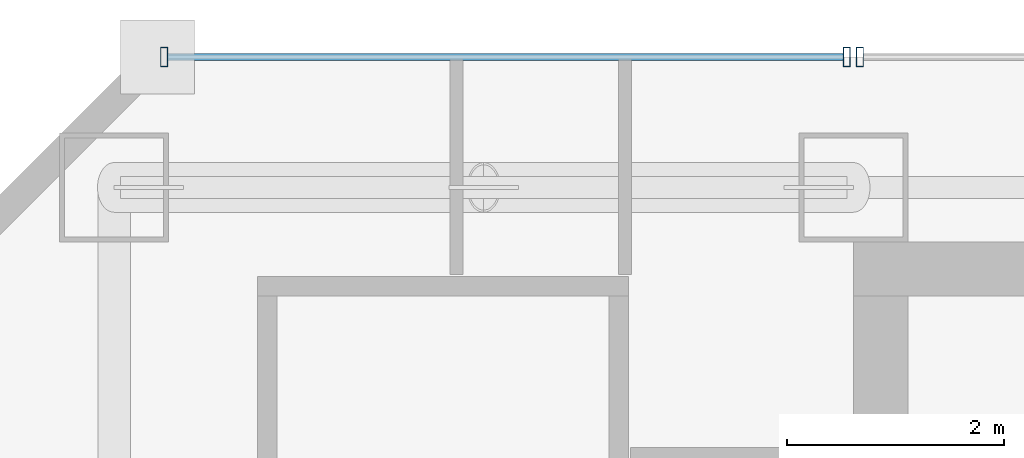
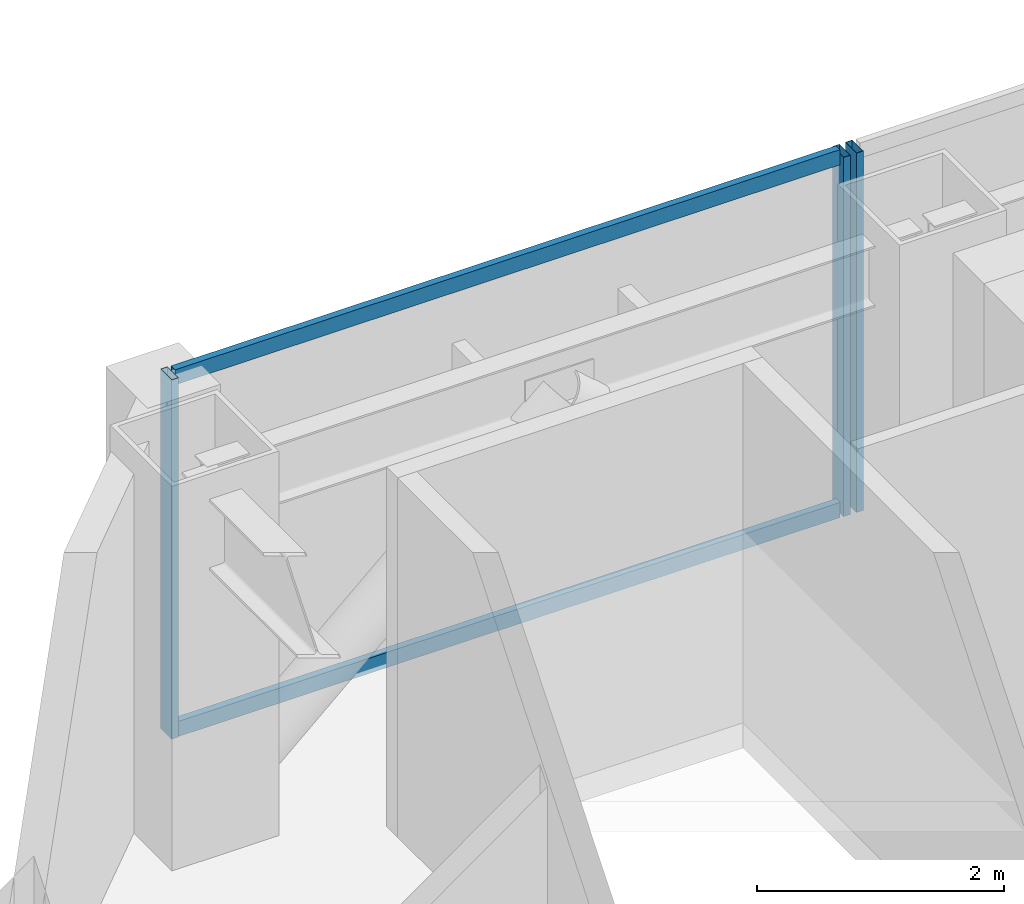
# One storey, part 23 of 38: 5 members, 2 elements without a shape of their own.
"""IFC4 building model written with IfcOpenShell, lengths in metres."""

from ifc_helpers import new_model, si_unit, direction, frame, origin, origin_2d, place, context, subcontext, project, spatial, hollow_rectangle, extrude, material, material_profile, profile_set, type_object, element, aggregate, save


model = new_model("IFC4")

# Units and contexts
model_context = context("Model", 3, precision=1e-05, world=origin(), true_north=direction((0.0, 1.0)))
body_context = subcontext(model_context, "Body", "Model", "MODEL_VIEW")
ifc_project = project(units=[si_unit("LENGTHUNIT", "METRE"), si_unit("AREAUNIT", "SQUARE_METRE"), si_unit("VOLUMEUNIT", "CUBIC_METRE"), si_unit("PLANEANGLEUNIT", "RADIAN"), si_unit("MASSUNIT", "GRAM", prefix="KILO")], contexts=[model_context])

# Site, building, storey
site_placement = place(None, origin())
site = spatial("IfcSite", under=ifc_project, at=site_placement, CompositionType="ELEMENT")
building_placement = place(site_placement, origin())
building = spatial("IfcBuilding", under=site, at=building_placement, Name="Saevonmaru Cultural Tower", CompositionType="ELEMENT")
storey_placement = place(building_placement, frame((0.0, 0.0, 137.199951171875)))
storey = spatial("IfcBuildingStorey", under=building, at=storey_placement, Name="L29", CompositionType="ELEMENT", Elevation=137.199951171875)

# Curtain wall, member
ifc_material = material(Name="Satin Bronze Anodised Aluminium", Category="aluminium")
curtain_wall_type = type_object("IfcCurtainWallType", Name="CW-TYP-A", PredefinedType="NOTDEFINED", material=ifc_material)
curtain_wall_1_placement = place(storey_placement, origin())
curtain_wall_1 = element("IfcCurtainWall", 1, at=curtain_wall_1_placement, inside=storey, type_object=curtain_wall_type, Name="L29 North Spine Unitised Curtain Wall E10B", PredefinedType="NOTDEFINED")
ifc_material_profile_1 = material_profile(ifc_material, hollow_rectangle(XDim=0.06494140625, YDim=0.179931640625, WallThickness=0.00390625, at=origin_2d()), Name="ALU-MULL-180x65x4")
ifc_profile_set_1 = profile_set([ifc_material_profile_1], Name="Satin Bronze Anodised Aluminium")
member_type_1 = type_object("IfcMemberType", Name="ML-CW-180x65", PredefinedType="MULLION", material=ifc_profile_set_1)
member_1_placement = place(storey_placement, frame((13.659912109375, 56.0, 0.0), z_axis=(0.0, 0.0, 1.0), x_axis=(-1.0, 0.0, 0.0)))
member_1 = element("IfcMember", 2, at=member_1_placement, type_object=member_type_1, Name="CW-TW-L29-E10B mullion 4", PredefinedType="MULLION", context=body_context, shape_type="SweptSolid", body=[
    extrude(hollow_rectangle(XDim=0.06494140625, YDim=0.179931640625, WallThickness=0.00390625, at=origin_2d()), origin(), (0.0, 0.0, 1.0), 3.550048828125),
])
aggregate(curtain_wall_1, [member_1])

# Curtain wall, members
curtain_wall_2_placement = place(storey_placement, origin())
curtain_wall_2 = element("IfcCurtainWall", 3, at=curtain_wall_2_placement, inside=storey, type_object=curtain_wall_type, Name="L29 West Braced Bay Spandrel Curtain Wall E10C", PredefinedType="NOTDEFINED")
member_2_placement = place(storey_placement, frame((13.5400390625, 56.0, 0.0), z_axis=(0.0, 0.0, 1.0), x_axis=(-1.0, 0.0, 0.0)))
member_2 = element("IfcMember", 4, at=member_2_placement, type_object=member_type_1, Name="CW-TW-L29-E10C mullion 1", PredefinedType="MULLION", context=body_context, shape_type="SweptSolid", body=[
    extrude(hollow_rectangle(XDim=0.06494140625, YDim=0.179931640625, WallThickness=0.00390625, at=origin_2d()), origin(), (0.0, 0.0, 1.0), 3.550048828125),
])
member_3_placement = place(storey_placement, frame((7.260009765625, 56.0, 0.0), z_axis=(0.0, 0.0, 1.0), x_axis=(-1.0, 0.0, 0.0)))
member_3 = element("IfcMember", 5, at=member_3_placement, type_object=member_type_1, Name="CW-TW-L29-E10C mullion 2", PredefinedType="MULLION", context=body_context, shape_type="SweptSolid", body=[
    extrude(hollow_rectangle(XDim=0.06494140625, YDim=0.179931640625, WallThickness=0.00390625, at=origin_2d()), origin(), (0.0, 0.0, 1.0), 3.550048828125),
])
ifc_material_profile_2 = material_profile(ifc_material, hollow_rectangle(XDim=0.06494140625, YDim=0.14990234375, WallThickness=0.00390625, at=origin_2d()), Name="ALU-TRAN-150x65x4")
ifc_profile_set_2 = profile_set([ifc_material_profile_2], Name="Satin Bronze Anodised Aluminium")
member_type_2 = type_object("IfcMemberType", Name="TR-CW-150x65", PredefinedType="USERDEFINED", material=ifc_profile_set_2)
member_4_placement = place(storey_placement, frame((13.507568359375, 56.0, 0.032470703125), z_axis=(-1.0, 0.0, 0.0), x_axis=(0.0, -1.0, 0.0)))
member_4 = element("IfcMember", 6, at=member_4_placement, type_object=member_type_2, Name="CW-TW-L29-E10C transom 1.1", ObjectType="TRANSOM", PredefinedType="USERDEFINED", context=body_context, shape_type="SweptSolid", body=[
    extrude(hollow_rectangle(XDim=0.06494140625, YDim=0.14990234375, WallThickness=0.00390625, at=origin_2d()), origin(), (0.0, 0.0, 1.0), 6.215087890625),
])
member_5_placement = place(storey_placement, frame((13.507568359375, 56.0, 3.517578125), z_axis=(-1.0, 0.0, 0.0), x_axis=(0.0, -1.0, 0.0)))
member_5 = element("IfcMember", 7, at=member_5_placement, type_object=member_type_2, Name="CW-TW-L29-E10C transom 1.2", ObjectType="TRANSOM", PredefinedType="USERDEFINED", context=body_context, shape_type="SweptSolid", body=[
    extrude(hollow_rectangle(XDim=0.06494140625, YDim=0.14990234375, WallThickness=0.00390625, at=origin_2d()), origin(), (0.0, 0.0, 1.0), 6.215087890625),
])
aggregate(curtain_wall_2, [member_2, member_3, member_4, member_5])

save(model, "model.ifc")
